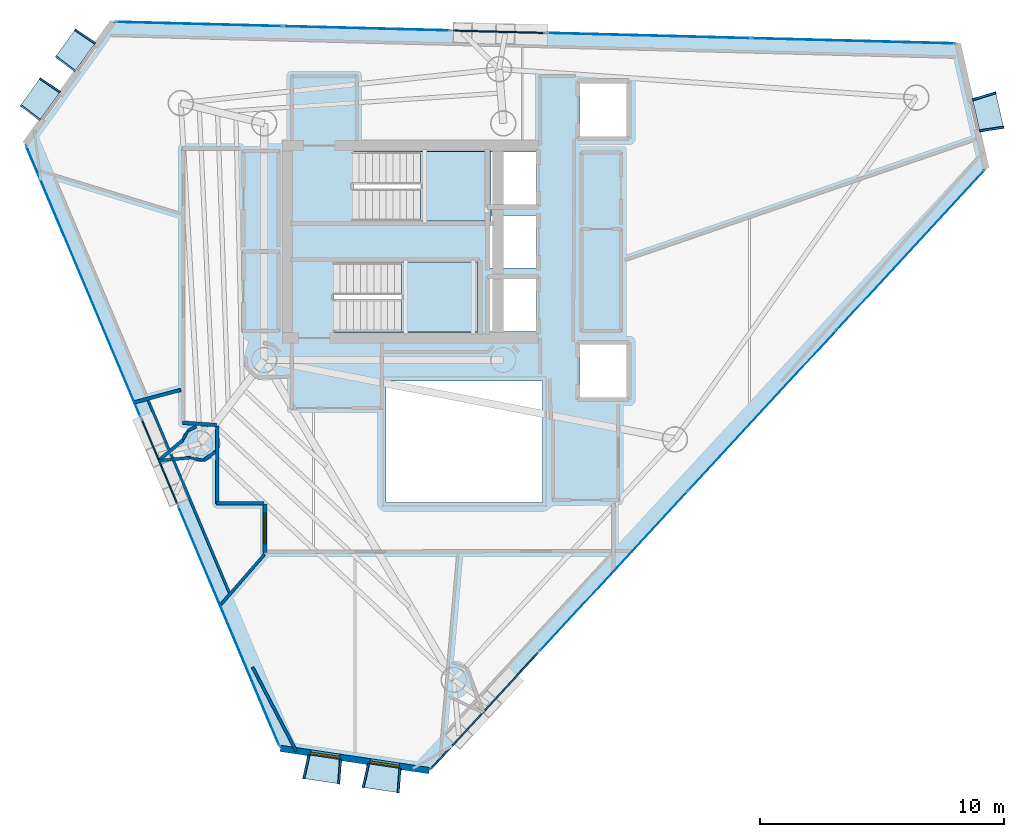
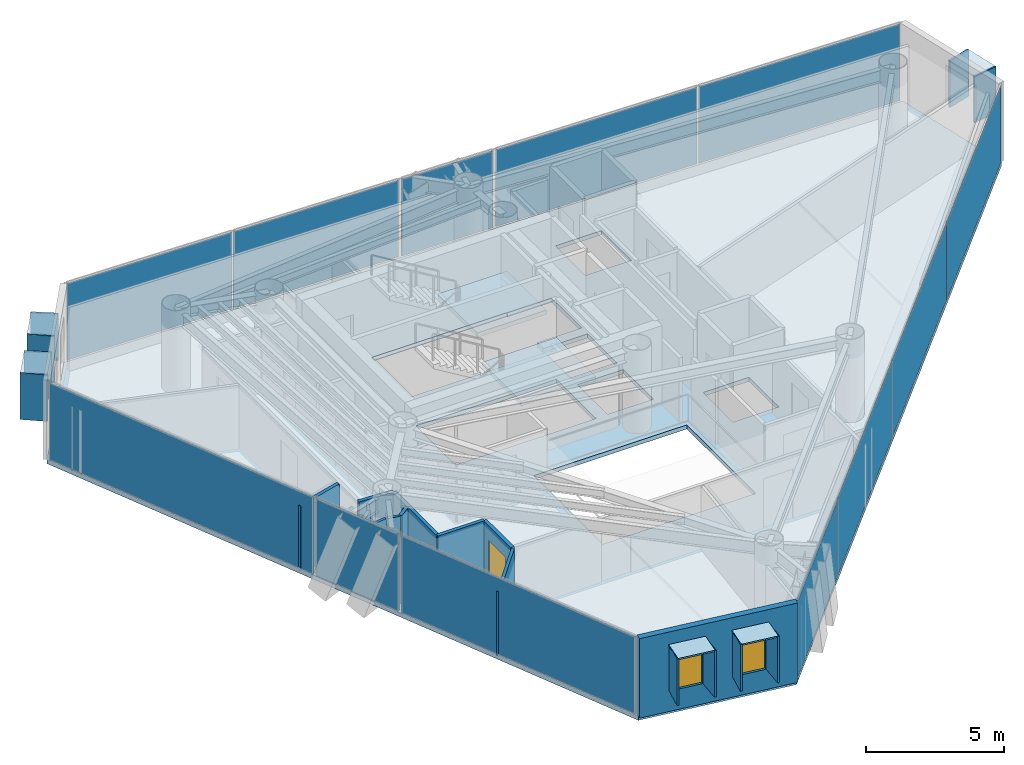
# One storey, part 14 of 21: 27 plates, 15 walls, 3 slabs, 2 windows, 1 door, 3 openings, 10 elements without a shape of their own.
"""IFC4 building model written with IfcOpenShell, lengths in metres."""

from ifc_helpers import new_model, si_unit, direction, frame, frame_2d, origin, origin_2d, place, context, subcontext, project, spatial, polyline, rectangle, outline, extrude, material, layer, layer_set, type_object, element, fill, aggregate, save


model = new_model("IFC4")

# Units and contexts
model_context = context("Model", 3, precision=1e-05, world=origin(), true_north=direction((0.0, 1.0)))
body_context = subcontext(model_context, "Body", "Model", "MODEL_VIEW")
ifc_project = project(units=[si_unit("LENGTHUNIT", "METRE"), si_unit("AREAUNIT", "SQUARE_METRE"), si_unit("VOLUMEUNIT", "CUBIC_METRE"), si_unit("PLANEANGLEUNIT", "RADIAN"), si_unit("MASSUNIT", "GRAM", prefix="KILO")], contexts=[model_context])

# Site, building, storey
site_placement = place(None, origin())
site = spatial("IfcSite", under=ifc_project, at=site_placement, CompositionType="ELEMENT")
building_placement = place(site_placement, origin())
building = spatial("IfcBuilding", under=site, at=building_placement, Name="Qianvela Tower", CompositionType="ELEMENT")
storey_placement = place(building_placement, frame((0.0, 0.0, 246.39990234375)))
storey = spatial("IfcBuildingStorey", under=building, at=storey_placement, Name="L63", CompositionType="ELEMENT", Elevation=246.39990234375)

# Curtain wall, plate
ifc_material_1 = material(Name="Anodised Architectural Aluminium and Insulated Spandrel Panel", Category="aluminium")
ifc_layer_1 = layer(ifc_material_1, 0.179931640625)
ifc_layer_set_1 = layer_set([ifc_layer_1], Name="Anodised Architectural Aluminium and Insulated Spandrel Panel")
curtain_wall_type_1 = type_object("IfcCurtainWallType", Name="CW-BRACEBAY", PredefinedType="USERDEFINED", material=ifc_layer_set_1)
curtain_wall_1_placement = place(storey_placement, origin())
curtain_wall_1 = element("IfcCurtainWall", 1, at=curtain_wall_1_placement, inside=storey, type_object=curtain_wall_type_1, Name="L63 CW-BRACEBAY Curtain Wall 02B", ObjectType="CURTAIN_WALL_SYSTEM", PredefinedType="USERDEFINED")
ifc_material_2 = material(Name="Insulated Aluminium Spandrel Panel with Mineral-Wool Backpan", Category="aluminium")
ifc_layer_2 = layer(ifc_material_2, 0.06005859375)
ifc_layer_set_2 = layer_set([ifc_layer_2], Name="Insulated Aluminium Spandrel Panel with Mineral-Wool Backpan")
plate_type_1 = type_object("IfcPlateType", Name="CW-BRACEBAY-PNL", PredefinedType="CURTAIN_PANEL", material=ifc_layer_set_2)
plate_1_placement = place(storey_placement, frame((38.21533203125, 37.305419921875, 0.06494140625), z_axis=(0.0, 0.0, 1.0), x_axis=(-0.999669803249, 0.025696001077, 0.0)))
plate_1 = element("IfcPlate", 2, at=plate_1_placement, type_object=plate_type_1, Name="CW-9 panel 1.1", PredefinedType="CURTAIN_PANEL", context=body_context, shape_type="SweptSolid", body=[
    extrude(rectangle(XDim=3.75, YDim=0.06005859375, at=origin_2d()), origin(), (0.0, 0.0, 1.0), 3.389892578125),
])
aggregate(curtain_wall_1, [plate_1])

curtain_wall_2_placement = place(storey_placement, origin())
curtain_wall_2 = element("IfcCurtainWall", 3, at=curtain_wall_2_placement, inside=storey, type_object=curtain_wall_type_1, Name="L63 CW-BRACEBAY Curtain Wall 04B", ObjectType="CURTAIN_WALL_SYSTEM", PredefinedType="USERDEFINED")
plate_2_placement = place(storey_placement, frame((24.30712890625, 19.681884765625, 0.06494140625), z_axis=(0.0, 0.0, 1.0), x_axis=(0.388793149126, -0.921325071401, 0.0)))
plate_2 = element("IfcPlate", 4, at=plate_2_placement, type_object=plate_type_1, Name="CW-9 panel 1.1", PredefinedType="CURTAIN_PANEL", context=body_context, shape_type="SweptSolid", body=[
    extrude(rectangle(XDim=3.75, YDim=0.06005859375, at=origin_2d()), origin(), (0.0, 0.0, 1.0), 3.389892578125),
])
aggregate(curtain_wall_2, [plate_2])

curtain_wall_3_placement = place(storey_placement, origin())
curtain_wall_3 = element("IfcCurtainWall", 5, at=curtain_wall_3_placement, inside=storey, type_object=curtain_wall_type_1, Name="L63 CW-BRACEBAY Curtain Wall 06A", ObjectType="CURTAIN_WALL_SYSTEM", PredefinedType="USERDEFINED")
plate_3_placement = place(storey_placement, frame((37.633056640625, 9.472900390625, 0.06494140625), z_axis=(0.0, 0.0, 1.0), x_axis=(0.679012746305, 0.73412648117, 0.0)))
plate_3 = element("IfcPlate", 6, at=plate_3_placement, type_object=plate_type_1, Name="CW-9 panel 1.1", PredefinedType="CURTAIN_PANEL", context=body_context, shape_type="SweptSolid", body=[
    extrude(rectangle(XDim=6.4599609375, YDim=0.06005859375, at=origin_2d()), origin(), (0.0, 0.0, 1.0), 3.389892578125),
])
aggregate(curtain_wall_3, [plate_3])

# Curtain wall, plates
ifc_material_3 = material(Name="Anodised Architectural Aluminium and Low-E Glass", Category="aluminium")
ifc_layer_3 = layer(ifc_material_3, 0.159912109375)
ifc_layer_set_3 = layer_set([ifc_layer_3], Name="Anodised Architectural Aluminium and Low-E Glass")
curtain_wall_type_2 = type_object("IfcCurtainWallType", Name="CW-COLIV-Z56", PredefinedType="USERDEFINED", material=ifc_layer_set_3)
curtain_wall_4_placement = place(storey_placement, origin())
curtain_wall_4 = element("IfcCurtainWall", 7, at=curtain_wall_4_placement, inside=storey, type_object=curtain_wall_type_2, Name="L63 CW-COLIV-Z56 Curtain Wall 02A", ObjectType="CURTAIN_WALL_SYSTEM", PredefinedType="USERDEFINED")
ifc_material_4 = material(Name="Double-Silver Low-E Insulated Glass", Category="glass")
ifc_layer_4 = layer(ifc_material_4, 0.028076171875)
ifc_layer_set_4 = layer_set([ifc_layer_4], Name="Double-Silver Low-E Insulated Glass")
plate_type_2 = type_object("IfcPlateType", Name="CW-COLIV-Z56-PNL", PredefinedType="CURTAIN_PANEL", material=ifc_layer_set_4)
plate_4_placement = place(storey_placement, frame((52.749267578125, 36.931640625, 0.06005859375), z_axis=(0.0, 0.0, 1.0), x_axis=(-0.999669506223, 0.025707553905, 0.0)))
plate_4 = element("IfcPlate", 8, at=plate_4_placement, type_object=plate_type_2, Name="CW-5 panel 1.1", PredefinedType="CURTAIN_PANEL", context=body_context, shape_type="SweptSolid", body=[
    extrude(rectangle(XDim=8.3125, YDim=0.028076171875, at=origin_2d()), origin(), (0.0, 0.0, 1.0), 3.39990234375),
])
plate_5_placement = place(storey_placement, frame((44.37451171875, 37.14697265625, 0.06005859375), z_axis=(0.0, 0.0, 1.0), x_axis=(-0.999669506223, 0.025707553905, 0.0)))
plate_5 = element("IfcPlate", 9, at=plate_5_placement, type_object=plate_type_2, Name="CW-5 panel 2.1", PredefinedType="CURTAIN_PANEL", context=body_context, shape_type="SweptSolid", body=[
    extrude(rectangle(XDim=8.3125, YDim=0.028076171875, at=origin_2d()), origin(), (0.0, 0.0, 1.0), 3.39990234375),
])
aggregate(curtain_wall_4, [plate_4, plate_5])

curtain_wall_5_placement = place(storey_placement, origin())
curtain_wall_5 = element("IfcCurtainWall", 10, at=curtain_wall_5_placement, inside=storey, type_object=curtain_wall_type_2, Name="L63 CW-COLIV-Z56 Curtain Wall 02C", ObjectType="CURTAIN_WALL_SYSTEM", PredefinedType="USERDEFINED")
plate_6_placement = place(storey_placement, frame((32.805419921875, 37.4443359375, 0.06005859375), z_axis=(0.0, 0.0, 1.0), x_axis=(-0.999669560121, 0.025705457951, 0.0)))
plate_6 = element("IfcPlate", 11, at=plate_6_placement, type_object=plate_type_2, Name="CW-5 panel 1.1", PredefinedType="CURTAIN_PANEL", context=body_context, shape_type="SweptSolid", body=[
    extrude(rectangle(XDim=6.8134765625, YDim=0.028076171875, at=origin_2d()), origin(), (0.0, 0.0, 1.0), 3.39990234375),
])
plate_7_placement = place(storey_placement, frame((25.92919921875, 37.621337890625, 0.06005859375), z_axis=(0.0, 0.0, 1.0), x_axis=(-0.999669560121, 0.025705457951, 0.0)))
plate_7 = element("IfcPlate", 12, at=plate_7_placement, type_object=plate_type_2, Name="CW-5 panel 2.1", PredefinedType="CURTAIN_PANEL", context=body_context, shape_type="SweptSolid", body=[
    extrude(rectangle(XDim=6.8134765625, YDim=0.028076171875, at=origin_2d()), origin(), (0.0, 0.0, 1.0), 3.39990234375),
])
aggregate(curtain_wall_5, [plate_6, plate_7])

# Curtain wall, plate
curtain_wall_6_placement = place(storey_placement, origin())
curtain_wall_6 = element("IfcCurtainWall", 13, at=curtain_wall_6_placement, inside=storey, type_object=curtain_wall_type_2, Name="L63 CW-COLIV-Z56 Curtain Wall 04A", ObjectType="CURTAIN_WALL_SYSTEM", PredefinedType="USERDEFINED")
plate_8_placement = place(storey_placement, frame((21.19091796875, 27.066162109375, 0.06005859375), z_axis=(0.0, 0.0, 1.0), x_axis=(0.388807490391, -0.92131901935, 0.0)))
plate_8 = element("IfcPlate", 14, at=plate_8_placement, type_object=plate_type_2, Name="CW-5 panel 1.1", PredefinedType="CURTAIN_PANEL", context=body_context, shape_type="SweptSolid", body=[
    extrude(rectangle(XDim=12.02001953125, YDim=0.028076171875, at=origin_2d()), origin(), (0.0, 0.0, 1.0), 3.39990234375),
])
aggregate(curtain_wall_6, [plate_8])

curtain_wall_7_placement = place(storey_placement, origin())
curtain_wall_7 = element("IfcCurtainWall", 15, at=curtain_wall_7_placement, inside=storey, type_object=curtain_wall_type_2, Name="L63 CW-COLIV-Z56 Curtain Wall 04C", ObjectType="CURTAIN_WALL_SYSTEM", PredefinedType="USERDEFINED")
plate_9_placement = place(storey_placement, frame((27.154296875, 12.934814453125, 0.06005859375), z_axis=(0.0, 0.0, 1.0), x_axis=(0.388808422873, -0.921318625831, 0.0)))
plate_9 = element("IfcPlate", 16, at=plate_9_placement, type_object=plate_type_2, Name="CW-5 panel 1.1", PredefinedType="CURTAIN_PANEL", context=body_context, shape_type="SweptSolid", body=[
    extrude(rectangle(XDim=10.63671875, YDim=0.028076171875, at=origin_2d()), origin(), (0.0, 0.0, 1.0), 3.39990234375),
])
aggregate(curtain_wall_7, [plate_9])

# Curtain wall, plates
curtain_wall_8_placement = place(storey_placement, origin())
curtain_wall_8 = element("IfcCurtainWall", 17, at=curtain_wall_8_placement, inside=storey, type_object=curtain_wall_type_2, Name="L63 CW-COLIV-Z56 Curtain Wall 06B", ObjectType="CURTAIN_WALL_SYSTEM", PredefinedType="USERDEFINED")
plate_10_placement = place(storey_placement, frame((42.928955078125, 15.198486328125, 0.06005859375), z_axis=(0.0, 0.0, 1.0), x_axis=(0.679018115722, 0.73412151482, 0.0)))
plate_10 = element("IfcPlate", 18, at=plate_10_placement, type_object=plate_type_2, Name="CW-5 panel 1.1", PredefinedType="CURTAIN_PANEL", context=body_context, shape_type="SweptSolid", body=[
    extrude(rectangle(XDim=8.87841796875, YDim=0.028076171875, at=origin_2d()), origin(), (0.0, 0.0, 1.0), 3.39990234375),
])
plate_11_placement = place(storey_placement, frame((49.0126953125, 21.77587890625, 0.06005859375), z_axis=(0.0, 0.0, 1.0), x_axis=(0.679018115722, 0.73412151482, 0.0)))
plate_11 = element("IfcPlate", 19, at=plate_11_placement, type_object=plate_type_2, Name="CW-5 panel 2.1", PredefinedType="CURTAIN_PANEL", context=body_context, shape_type="SweptSolid", body=[
    extrude(rectangle(XDim=8.910888671875, YDim=0.028076171875, at=origin_2d()), origin(), (0.0, 0.0, 1.0), 3.39990234375),
])
plate_12_placement = place(storey_placement, frame((55.096435546875, 28.353271484375, 0.06005859375), z_axis=(0.0, 0.0, 1.0), x_axis=(0.679018115722, 0.73412151482, 0.0)))
plate_12 = element("IfcPlate", 20, at=plate_12_placement, type_object=plate_type_2, Name="CW-5 panel 3.1", PredefinedType="CURTAIN_PANEL", context=body_context, shape_type="SweptSolid", body=[
    extrude(rectangle(XDim=8.87841796875, YDim=0.028076171875, at=origin_2d()), origin(), (0.0, 0.0, 1.0), 3.39990234375),
])
aggregate(curtain_wall_8, [plate_10, plate_11, plate_12])

# Slab
ifc_material_5 = material(Name="Concrete C40", Category="concrete")
ifc_layer_5 = layer(ifc_material_5, 0.179931640625)
ifc_layer_set_5 = layer_set([ifc_layer_5], Name="Concrete C40")
slab_type_1 = type_object("IfcSlabType", Name="SL-FLOOR-180", PredefinedType="FLOOR", material=ifc_layer_set_5)
slab_1_placement = place(storey_placement, frame((0.0, 0.0, -0.179931640625)))
element("IfcSlab", 21, at=slab_1_placement, inside=storey, type_object=slab_type_1, Name="L63 Composite Structural Floor Slab", PredefinedType="FLOOR", context=body_context, shape_type="SweptSolid", body=[
    extrude(outline(polyline([(58.188720703125, 31.696533203125), (57.01904296875, 36.82177734375), (22.40869140625, 37.7119140625), (18.809326171875, 32.709228515625), (29.266845703125, 7.9287109375), (35.36181640625, 7.01708984375), (58.188720703125, 31.696533203125)]), holes=[polyline([(40.0, 23.0), (33.60009765625, 23.0), (33.60009765625, 18.0), (40.0, 18.0), (40.0, 23.0)]), polyline([(43.4599609375, 24.47998046875), (41.5400390625, 24.47998046875), (41.5400390625, 22.320068359375), (43.4599609375, 22.320068359375), (43.4599609375, 24.47998046875)]), polyline([(39.760009765625, 27.179931640625), (37.840087890625, 27.179931640625), (37.840087890625, 25.02001953125), (39.760009765625, 25.02001953125), (39.760009765625, 27.179931640625)]), polyline([(37.35009765625, 27.860107421875), (31.469970703125, 27.860107421875), (31.469970703125, 25.0), (37.35009765625, 25.0), (37.35009765625, 27.860107421875)]), polyline([(39.760009765625, 27.6201171875), (39.760009765625, 29.780029296875), (37.89990234375, 29.780029296875), (37.89990234375, 30.219970703125), (39.760009765625, 30.219970703125), (39.760009765625, 32.3798828125), (37.89990234375, 32.3798828125), (37.89990234375, 32.39990234375), (32.25, 32.39990234375), (32.25, 29.5400390625), (37.840087890625, 29.5400390625), (37.840087890625, 27.6201171875), (39.760009765625, 27.6201171875)]), polyline([(43.4599609375, 35.179931640625), (41.5400390625, 35.179931640625), (41.5400390625, 33.02001953125), (43.4599609375, 33.02001953125), (43.4599609375, 35.179931640625)])]), origin(), (0.0, 0.0, 1.0), 0.179931640625),
])

# Stair, slab
ifc_material_6 = material(Name="Concrete C40", Category="concrete")
stair_type = type_object("IfcStairType", Name="ST-DOGLEG-1350-R168-N22", PredefinedType="HALF_TURN_STAIR", material=ifc_material_6)
stair_1_placement = place(storey_placement, origin())
stair_1 = element("IfcStair", 22, at=stair_1_placement, inside=storey, type_object=stair_type, Name="L63 Smoke-Proof Core Stair ST-1", PredefinedType="HALF_TURN_STAIR")
ifc_material_7 = material(Name="Concrete C40", Category="concrete")
ifc_layer_6 = layer(ifc_material_7, 0.199951171875)
ifc_layer_set_6 = layer_set([ifc_layer_6], Name="Concrete C40")
slab_type_2 = type_object("IfcSlabType", Name="SL-STAIR-LANDING-200", PredefinedType="LANDING", material=ifc_layer_set_6)
slab_2_placement = place(storey_placement, frame((0.0, 0.0, 1.650146484375)))
slab_2 = element("IfcSlab", 23, at=slab_2_placement, type_object=slab_type_2, Name="ST-1 landing 1", PredefinedType="LANDING", context=body_context, shape_type="SweptSolid", body=[
    extrude(outline(polyline([(35.0, 29.5400390625), (37.89990234375, 29.5400390625), (37.89990234375, 32.39990234375), (35.0, 32.39990234375), (35.0, 29.5400390625)])), origin(), (0.0, 0.0, 1.0), 0.199951171875),
])
aggregate(stair_1, [slab_2])

stair_2_placement = place(storey_placement, origin())
stair_2 = element("IfcStair", 24, at=stair_2_placement, inside=storey, type_object=stair_type, Name="L63 Smoke-Proof Core Stair ST-2", PredefinedType="HALF_TURN_STAIR")
slab_3_placement = place(storey_placement, frame((0.0, 0.0, 1.650146484375)))
slab_3 = element("IfcSlab", 25, at=slab_3_placement, type_object=slab_type_2, Name="ST-2 landing 1", PredefinedType="LANDING", context=body_context, shape_type="SweptSolid", body=[
    extrude(outline(polyline([(34.219970703125, 25.0), (37.35009765625, 25.0), (37.35009765625, 27.860107421875), (34.219970703125, 27.860107421875), (34.219970703125, 25.0)])), origin(), (0.0, 0.0, 1.0), 0.199951171875),
])
aggregate(stair_2, [slab_3])

# Plates
ifc_material_8 = material(Name="Vitrified Architectural Terracotta Panel", Category="masonry")
ifc_layer_7 = layer(ifc_material_8, 0.06494140625)
ifc_layer_set_7 = layer_set([ifc_layer_7], Name="Vitrified Architectural Terracotta Panel")
plate_type_3 = type_object("IfcPlateType", Name="TERRACOTTA-SUNSHADE-HOOD-FOLD-B", PredefinedType="USERDEFINED", material=ifc_layer_set_7)
for number, where, z_axis, x_axis, name in (
    (26, (20.85400390625, 36.552734375, 2.91015625), (0.0, 0.0, 1.0), (-0.584027258888, -0.811734045655, 0.0), "L63 Terracotta Sunshade Hood FOLD-B"),
    (27, (19.414306640625, 34.5517578125, 2.91015625), (0.0, 0.0, 1.0), (-0.584027258888, -0.811734045655, 0.0), "L63 Terracotta Sunshade Hood FOLD-B"),
):
    element("IfcPlate", number, at=place(storey_placement, frame(where, z_axis=z_axis, x_axis=x_axis)), inside=storey, type_object=plate_type_3, Name=name, ObjectType="SUNSHADE", PredefinedType="USERDEFINED", context=body_context, shape_type="SweptSolid", body=[
        extrude(rectangle(XDim=1.43994140625, YDim=0.989990234375, at=origin_2d()), origin(), (0.0, 0.0, 1.0), 0.06005859375),
    ])
ifc_material_9 = material(Name="Vitrified Architectural Terracotta Panel", Category="masonry")
ifc_layer_8 = layer(ifc_material_9, 0.074951171875)
ifc_layer_set_8 = layer_set([ifc_layer_8], Name="Vitrified Architectural Terracotta Panel")
plate_type_4 = type_object("IfcPlateType", Name="TERRACOTTA-SUNSHADE-HOOD-FOLD-D", PredefinedType="USERDEFINED", material=ifc_layer_set_8)
for number, where, z_axis, x_axis, name in (
    (28, (58.265869140625, 33.98828125, 2.91015625), (0.0, 0.0, 1.0), (-0.222503188973, 0.974931962189, 0.0), "L63 Terracotta Sunshade Hood FOLD-D"),
    (29, (31.0087890625, 7.076904296875, 2.91015625), (0.0, 0.0, 1.0), (0.988999088552, -0.147921610469, 0.0), "L63 Terracotta Sunshade Hood FOLD-D"),
    (30, (33.44677734375, 6.712158203125, 2.91015625), (0.0, 0.0, 1.0), (0.988999088552, -0.147921610469, 0.0), "L63 Terracotta Sunshade Hood FOLD-D"),
):
    element("IfcPlate", number, at=place(storey_placement, frame(where, z_axis=z_axis, x_axis=x_axis)), inside=storey, type_object=plate_type_4, Name=name, ObjectType="SUNSHADE", PredefinedType="USERDEFINED", context=body_context, shape_type="SweptSolid", body=[
        extrude(rectangle(XDim=1.43994140625, YDim=0.989990234375, at=origin_2d()), origin(), (0.0, 0.0, 1.0), 0.06005859375),
    ])
ifc_material_10 = material(Name="Vitrified Architectural Terracotta Side Fin Panel", Category="masonry")
ifc_layer_9 = layer(ifc_material_10, 0.070068359375)
ifc_layer_set_9 = layer_set([ifc_layer_9], Name="Vitrified Architectural Terracotta Side Fin Panel")
plate_type_5 = type_object("IfcPlateType", Name="TERRACOTTA-SUNSHADE-STRUT-FOLD-B", PredefinedType="USERDEFINED", material=ifc_layer_set_9)
for number, where, z_axis, x_axis, name in (
    (31, (21.257080078125, 37.11279296875, 0.900146484375), (0.0, 0.0, 1.0), (-0.558965712346, -0.829190769619, 0.0), "L63 Terracotta Sunshade Side Fin HL FOLD-B"),
    (32, (20.450927734375, 35.99267578125, 0.900146484375), (0.0, 0.0, 1.0), (-0.608544014099, -0.793520121298, 0.0), "L63 Terracotta Sunshade Side Fin HR FOLD-B"),
    (33, (19.8173828125, 35.11181640625, 0.900146484375), (0.0, 0.0, 1.0), (-0.558965712346, -0.829190769619, 0.0), "L63 Terracotta Sunshade Side Fin HL FOLD-B"),
    (34, (19.01123046875, 33.99169921875, 0.900146484375), (0.0, 0.0, 1.0), (-0.608544014099, -0.793520121298, 0.0), "L63 Terracotta Sunshade Side Fin HR FOLD-B"),
):
    element("IfcPlate", number, at=place(storey_placement, frame(where, z_axis=z_axis, x_axis=x_axis)), inside=storey, type_object=plate_type_5, Name=name, ObjectType="SUNSHADE", PredefinedType="USERDEFINED", context=body_context, shape_type="SweptSolid", body=[
        extrude(rectangle(XDim=0.070068359375, YDim=1.010009765625, at=origin_2d()), origin(), (0.0, 0.0, 1.0), 2.06005859375),
    ])
ifc_material_11 = material(Name="Vitrified Architectural Terracotta Side Fin Panel", Category="masonry")
ifc_layer_10 = layer(ifc_material_11, 0.080078125)
ifc_layer_set_10 = layer_set([ifc_layer_10], Name="Vitrified Architectural Terracotta Side Fin Panel")
plate_type_6 = type_object("IfcPlateType", Name="TERRACOTTA-SUNSHADE-STRUT-FOLD-D", PredefinedType="USERDEFINED", material=ifc_layer_set_10)
for number, where, z_axis, x_axis, name in (
    (35, (58.41943359375, 33.315673828125, 0.900146484375), (0.0, 0.0, 1.0), (-0.149640610628, 0.98874045515, 0.0), "L63 Terracotta Sunshade Side Fin HL FOLD-D"),
    (36, (58.1123046875, 34.660888671875, 0.900146484375), (0.0, 0.0, 1.0), (-0.29414208215, 0.955761704353, 0.0), "L63 Terracotta Sunshade Side Fin HR FOLD-D"),
    (37, (30.326416015625, 7.1787109375, 0.900146484375), (0.0, 0.0, 1.0), (0.975317276902, -0.220808082677, 0.0), "L63 Terracotta Sunshade Side Fin HL FOLD-D"),
    (38, (31.691162109375, 6.974609375, 0.900146484375), (0.0, 0.0, 1.0), (0.997241771341, -0.074221624163, 0.0), "L63 Terracotta Sunshade Side Fin HR FOLD-D"),
    (39, (32.764404296875, 6.814208984375, 0.900146484375), (0.0, 0.0, 1.0), (0.975317276902, -0.220808082677, 0.0), "L63 Terracotta Sunshade Side Fin HL FOLD-D"),
    (40, (34.129150390625, 6.610107421875, 0.900146484375), (0.0, 0.0, 1.0), (0.997241771341, -0.074221624163, 0.0), "L63 Terracotta Sunshade Side Fin HR FOLD-D"),
):
    element("IfcPlate", number, at=place(storey_placement, frame(where, z_axis=z_axis, x_axis=x_axis)), inside=storey, type_object=plate_type_6, Name=name, ObjectType="SUNSHADE", PredefinedType="USERDEFINED", context=body_context, shape_type="SweptSolid", body=[
        extrude(rectangle(XDim=0.080078125, YDim=1.010009765625, at=origin_2d()), origin(), (0.0, 0.0, 1.0), 2.06005859375),
    ])

# Wall, openings, windows
ifc_material_12 = material(Name="Terracotta Cladding on Concrete C40", Category="masonry")
ifc_layer_11 = layer(ifc_material_12, 0.260009765625)
ifc_layer_set_11 = layer_set([ifc_layer_11], Name="Terracotta Cladding on Concrete C40")
wall_type_1 = type_object("IfcWallType", Name="TERRACOTTA-WALL-260", PredefinedType="SOLIDWALL", material=ifc_layer_set_11)
wall_1_placement = place(storey_placement, frame((29.266845703125, 7.9287109375, 0.0), z_axis=(0.0, 0.0, 1.0), x_axis=(0.988998739346, -0.147923945232, 0.0)))
wall_1 = element("IfcWall", 41, at=wall_1_placement, inside=storey, type_object=wall_type_1, Name="L63 Terracotta Chamfer Facet Wall 5", PredefinedType="SOLIDWALL", context=body_context, shape_type="SweptSolid", body=[
    extrude(rectangle(XDim=6.162841796875, YDim=0.260009765625, at=frame_2d((3.08154296875, 0.0))), origin(), (0.0, 0.0, 1.0), 3.52001953125),
])
opening_1_placement = place(wall_1_placement, frame((1.248779296875, 0.0, 0.89990234375)))
opening_1 = element("IfcOpeningElement", 42, at=opening_1_placement, cuts=wall_1, Name="Opening W-03", PredefinedType="OPENING", context=body_context, shape_type="SweptSolid", body=[
    extrude(rectangle(XDim=1.199951171875, YDim=2.0, at=frame_2d((0.60009765625, 1.0))), frame((0.0, 0.139892578125, 0.0), z_axis=(0.0, -1.0, 0.0), x_axis=(1.0, 0.0, 0.0)), (0.0, 0.0, 1.0), 0.280029296875),
])
opening_2_placement = place(wall_1_placement, frame((3.7138671875, 0.0, 0.89990234375)))
opening_2 = element("IfcOpeningElement", 43, at=opening_2_placement, cuts=wall_1, Name="Opening W-03", PredefinedType="OPENING", context=body_context, shape_type="SweptSolid", body=[
    extrude(rectangle(XDim=1.199951171875, YDim=2.0, at=frame_2d((0.60009765625, 1.0))), frame((0.0, 0.139892578125, 0.0), z_axis=(0.0, -1.0, 0.0), x_axis=(1.0, 0.0, 0.0)), (0.0, 0.0, 1.0), 0.280029296875),
])
ifc_material_13 = material(Name="Thermally Broken Aluminium and Low-E Glass", Category="aluminium")
window_type = type_object("IfcWindowType", Name="WIN-TC-1200x2000", PartitioningType="SINGLE_PANEL", PredefinedType="WINDOW", material=ifc_material_13)
window_1_placement = place(opening_1_placement, origin())
window_1 = element("IfcWindow", 44, at=window_1_placement, inside=storey, type_object=window_type, Name="L63 Chamfer Facet Window 5.1", OverallHeight=2.0, OverallWidth=1.199951171875, PartitioningType="SINGLE_PANEL", PredefinedType="WINDOW", context=body_context, shape_type="SweptSolid", body=[
    extrude(rectangle(XDim=1.199951171875, YDim=2.0, at=frame_2d((0.60009765625, 1.0))), frame((0.0, 0.030029296875, 0.0), z_axis=(0.0, -1.0, 0.0), x_axis=(1.0, 0.0, 0.0)), (0.0, 0.0, 1.0), 0.06005859375),
])
fill(opening_1, window_1)
window_2_placement = place(opening_2_placement, origin())
window_2 = element("IfcWindow", 45, at=window_2_placement, inside=storey, type_object=window_type, Name="L63 Chamfer Facet Window 5.2", OverallHeight=2.0, OverallWidth=1.199951171875, PartitioningType="SINGLE_PANEL", PredefinedType="WINDOW", context=body_context, shape_type="SweptSolid", body=[
    extrude(rectangle(XDim=1.199951171875, YDim=2.0, at=frame_2d((0.60009765625, 1.0))), frame((0.0, 0.030029296875, 0.0), z_axis=(0.0, -1.0, 0.0), x_axis=(1.0, 0.0, 0.0)), (0.0, 0.0, 1.0), 0.06005859375),
])
fill(opening_2, window_2)

# Wall, opening, door
ifc_material_14 = material(Name="Fire-Rated Acoustic Gypsum Board")
ifc_layer_12 = layer(ifc_material_14, 0.14990234375)
ifc_layer_set_12 = layer_set([ifc_layer_12], Name="Fire-Rated Acoustic Gypsum Board")
wall_type_2 = type_object("IfcWallType", Name="WT-CORR-150", PredefinedType="PARTITIONING", material=ifc_layer_set_12)
wall_2_placement = place(storey_placement, frame((28.631103515625, 15.949951171875, 0.0), z_axis=(0.0, 0.0, 1.0), x_axis=(0.0, 1.0, 0.0)))
wall_2 = element("IfcWall", 46, at=wall_2_placement, inside=storey, type_object=wall_type_2, Name="L63 Partition 62", PredefinedType="PARTITIONING", context=body_context, shape_type="SweptSolid", body=[
    extrude(rectangle(XDim=2.0, YDim=0.14990234375, at=frame_2d((1.0, 0.0))), origin(), (0.0, 0.0, 1.0), 2.840087890625),
])
opening_3_placement = place(wall_2_placement, frame((0.375, 0.0, 0.0)))
opening_3 = element("IfcOpeningElement", 47, at=opening_3_placement, cuts=wall_2, Name="Opening D-LG1", PredefinedType="OPENING", context=body_context, shape_type="SweptSolid", body=[
    extrude(rectangle(XDim=1.25, YDim=2.199951171875, at=frame_2d((0.625, 1.10009765625))), frame((0.0, 0.0849609375, 0.0), z_axis=(0.0, -1.0, 0.0), x_axis=(1.0, 0.0, 0.0)), (0.0, 0.0, 1.0), 0.169921875),
])
ifc_material_15 = material(Name="Anodised Aluminium Acoustic Glass Door", Category="aluminium")
door_type = type_object("IfcDoorType", Name="DT-LOUNGE-1250", OperationType="NOTDEFINED", PredefinedType="DOOR", material=ifc_material_15)
door_placement = place(opening_3_placement, origin())
door = element("IfcDoor", 48, at=door_placement, inside=storey, type_object=door_type, Name="L63 Door Student Fitness Gym L63-01 to L63 Floor Corridor", OperationType="SINGLE_SWING_RIGHT", OverallHeight=2.199951171875, OverallWidth=1.25, PredefinedType="DOOR", context=body_context, shape_type="SweptSolid", body=[
    extrude(rectangle(XDim=1.25, YDim=2.199951171875, at=frame_2d((0.625, 1.10009765625))), frame((0.0, 0.02490234375, 0.0), z_axis=(0.0, -1.0, 0.0), x_axis=(1.0, 0.0, 0.0)), (0.0, 0.0, 1.0), 0.050048828125),
])
fill(opening_3, door)

# Walls
wall_3_placement = place(storey_placement, frame((28.60009765625, 17.98095703125, 0.0), z_axis=(0.0, 0.0, 1.0), x_axis=(-1.0, 0.0, 0.0)))
element("IfcWall", 49, at=wall_3_placement, inside=storey, type_object=wall_type_2, Name="L63 Partition 63", PredefinedType="PARTITIONING", context=body_context, shape_type="SweptSolid", body=[
    extrude(rectangle(XDim=1.9501953125, YDim=0.14990234375, at=frame_2d((0.97509765625, 0.0))), origin(), (0.0, 0.0, 1.0), 2.840087890625),
])
wall_4_placement = place(storey_placement, frame((26.680908203125, 17.949951171875, 0.0), z_axis=(0.0, 0.0, 1.0), x_axis=(0.0, 1.0, 0.0)))
element("IfcWall", 50, at=wall_4_placement, inside=storey, type_object=wall_type_2, Name="L63 Partition 64", PredefinedType="PARTITIONING", context=body_context, shape_type="SweptSolid", body=[
    extrude(rectangle(XDim=3.199951171875, YDim=0.14990234375, at=frame_2d((1.60009765625, 0.0))), origin(), (0.0, 0.0, 1.0), 2.840087890625),
])
wall_5_placement = place(storey_placement, frame((26.65234375, 21.180908203125, 0.0), z_axis=(0.0, 0.0, 1.0), x_axis=(-0.997303696291, 0.073384857861, 0.0)))
element("IfcWall", 51, at=wall_5_placement, inside=storey, type_object=wall_type_2, Name="L63 Partition 65", PredefinedType="PARTITIONING", context=body_context, shape_type="SweptSolid", body=[
    extrude(rectangle(XDim=1.404052734375, YDim=0.14990234375, at=frame_2d((0.7021484375, 0.0))), origin(), (0.0, 0.0, 1.0), 2.840087890625),
])
ifc_material_16 = material(Name="Lightweight Gypsum Room Partition")
ifc_layer_13 = layer(ifc_material_16, 0.10498046875)
ifc_layer_set_13 = layer_set([ifc_layer_13], Name="Lightweight Gypsum Room Partition")
wall_type_3 = type_object("IfcWallType", Name="WT-PART-105", PredefinedType="PARTITIONING", material=ifc_layer_set_13)
wall_6_placement = place(storey_placement, frame((25.460205078125, 20.93603515625, 0.0), z_axis=(0.0, 0.0, 1.0), x_axis=(-0.471352579484, -0.881944865518, 0.0)))
element("IfcWall", 52, at=wall_6_placement, inside=storey, type_object=wall_type_3, Name="L63 Partition 70", PredefinedType="PARTITIONING", context=body_context, shape_type="SweptSolid", body=[
    extrude(rectangle(XDim=0.397705078125, YDim=0.10498046875, at=frame_2d((0.19873046875, 0.0))), origin(), (0.0, 0.0, 1.0), 2.840087890625),
])
wall_7_placement = place(storey_placement, frame((25.58544921875, 19.8369140625, 0.0), z_axis=(0.0, 0.0, 1.0), x_axis=(0.98086624294, -0.194682853537, 0.0)))
element("IfcWall", 53, at=wall_7_placement, inside=storey, type_object=wall_type_3, Name="L63 Partition 73", PredefinedType="PARTITIONING", context=body_context, shape_type="SweptSolid", body=[
    extrude(rectangle(XDim=0.524169921875, YDim=0.10498046875, at=frame_2d((0.26220703125, 0.0))), origin(), (0.0, 0.0, 1.0), 2.840087890625),
])
wall_8_placement = place(storey_placement, frame((27.214111328125, 14.210693359375, 0.0), z_axis=(0.0, 0.0, 1.0), x_axis=(-0.388823456639, 0.921312281242, 0.0)))
element("IfcWall", 54, at=wall_8_placement, inside=storey, type_object=wall_type_3, Name="L63 Partition 79", PredefinedType="PARTITIONING", context=body_context, shape_type="SweptSolid", body=[
    extrude(rectangle(XDim=8.7705078125, YDim=0.10498046875, at=frame_2d((4.38525390625, 0.0))), origin(), (0.0, 0.0, 1.0), 2.840087890625),
])
ifc_material_17 = material(Name="Insulated Gypsum Stud Partition")
ifc_layer_14 = layer(ifc_material_17, 0.1201171875)
ifc_layer_set_14 = layer_set([ifc_layer_14], Name="Insulated Gypsum Stud Partition")
wall_type_4 = type_object("IfcWallType", Name="WT-PART-120", PredefinedType="PARTITIONING", material=ifc_layer_set_14)
wall_9_placement = place(storey_placement, frame((25.8193359375, 21.135009765625, 0.0), z_axis=(0.0, 0.0, 1.0), x_axis=(-0.880749970322, -0.473581555571, 0.0)))
element("IfcWall", 55, at=wall_9_placement, inside=storey, type_object=wall_type_4, Name="L63 Partition 69", PredefinedType="PARTITIONING", context=body_context, shape_type="SweptSolid", body=[
    extrude(rectangle(XDim=0.393310546875, YDim=0.1201171875, at=frame_2d((0.19677734375, 0.0))), origin(), (0.0, 0.0, 1.0), 2.840087890625),
])
wall_10_placement = place(storey_placement, frame((24.289794921875, 19.722412109375, 0.0), z_axis=(0.0, 0.0, 1.0), x_axis=(0.995210765311, 0.097752404619, 0.0)))
element("IfcWall", 56, at=wall_10_placement, inside=storey, type_object=wall_type_4, Name="L63 Partition 72", PredefinedType="PARTITIONING", context=body_context, shape_type="SweptSolid", body=[
    extrude(rectangle(XDim=1.28369140625, YDim=0.1201171875, at=frame_2d((0.641845703125, 0.0))), origin(), (0.0, 0.0, 1.0), 2.840087890625),
])
wall_11_placement = place(storey_placement, frame((28.614990234375, 15.890380859375, 0.0), z_axis=(0.0, 0.0, 1.0), x_axis=(-0.656005918299, -0.754755745362, 0.0)))
element("IfcWall", 57, at=wall_11_placement, inside=storey, type_object=wall_type_4, Name="L63 Partition 78", PredefinedType="PARTITIONING", context=body_context, shape_type="SweptSolid", body=[
    extrude(rectangle(XDim=2.798583984375, YDim=0.1201171875, at=frame_2d((1.3994140625, 0.0))), origin(), (0.0, 0.0, 1.0), 2.840087890625),
])
wall_12_placement = place(storey_placement, frame((29.9130859375, 7.81494140625, 0.0), z_axis=(0.0, 0.0, 1.0), x_axis=(-0.461461769984, 0.887160095385, 0.0)))
element("IfcWall", 58, at=wall_12_placement, inside=storey, type_object=wall_type_4, Name="L63 Partition 84 seg 1", PredefinedType="PARTITIONING", context=body_context, shape_type="SweptSolid", body=[
    extrude(rectangle(XDim=3.87744140625, YDim=0.1201171875, at=frame_2d((1.938720703125, 0.0))), origin(), (0.0, 0.0, 1.0), 2.840087890625),
])
ifc_material_18 = material(Name="Acoustic Double Gypsum Stud Partition")
ifc_layer_15 = layer(ifc_material_18, 0.139892578125)
ifc_layer_set_15 = layer_set([ifc_layer_15], Name="Acoustic Double Gypsum Stud Partition")
wall_type_5 = type_object("IfcWallType", Name="WT-ROOM-140", PredefinedType="PARTITIONING", material=ifc_layer_set_15)
wall_13_placement = place(storey_placement, frame((25.269287109375, 20.567626953125, 0.0), z_axis=(0.0, 0.0, 1.0), x_axis=(-0.765667528087, -0.643236532259, 0.0)))
element("IfcWall", 59, at=wall_13_placement, inside=storey, type_object=wall_type_5, Name="L63 Partition 71", PredefinedType="PARTITIONING", context=body_context, shape_type="SweptSolid", body=[
    extrude(rectangle(XDim=1.2880859375, YDim=0.139892578125, at=frame_2d((0.64404296875, 0.0))), origin(), (0.0, 0.0, 1.0), 2.840087890625),
])
wall_14_placement = place(storey_placement, frame((26.1240234375, 19.740234375, 0.0), z_axis=(0.0, 0.0, 1.0), x_axis=(0.803130617249, 0.595802997339, 0.0)))
element("IfcWall", 60, at=wall_14_placement, inside=storey, type_object=wall_type_5, Name="L63 Partition 74", PredefinedType="PARTITIONING", context=body_context, shape_type="SweptSolid", body=[
    extrude(rectangle(XDim=0.578125, YDim=0.139892578125, at=frame_2d((0.2890625, 0.0))), origin(), (0.0, 0.0, 1.0), 2.840087890625),
])
wall_15_placement = place(storey_placement, frame((23.26123046875, 22.109130859375, 0.0), z_axis=(0.0, 0.0, 1.0), x_axis=(0.965915648111, 0.258857027592, 0.0)))
element("IfcWall", 61, at=wall_15_placement, inside=storey, type_object=wall_type_5, Name="L63 Partition 80", PredefinedType="PARTITIONING", context=body_context, shape_type="SweptSolid", body=[
    extrude(rectangle(XDim=1.984375, YDim=0.139892578125, at=frame_2d((0.9921875, 0.0))), origin(), (0.0, 0.0, 1.0), 2.840087890625),
])

save(model, "model.ifc")
